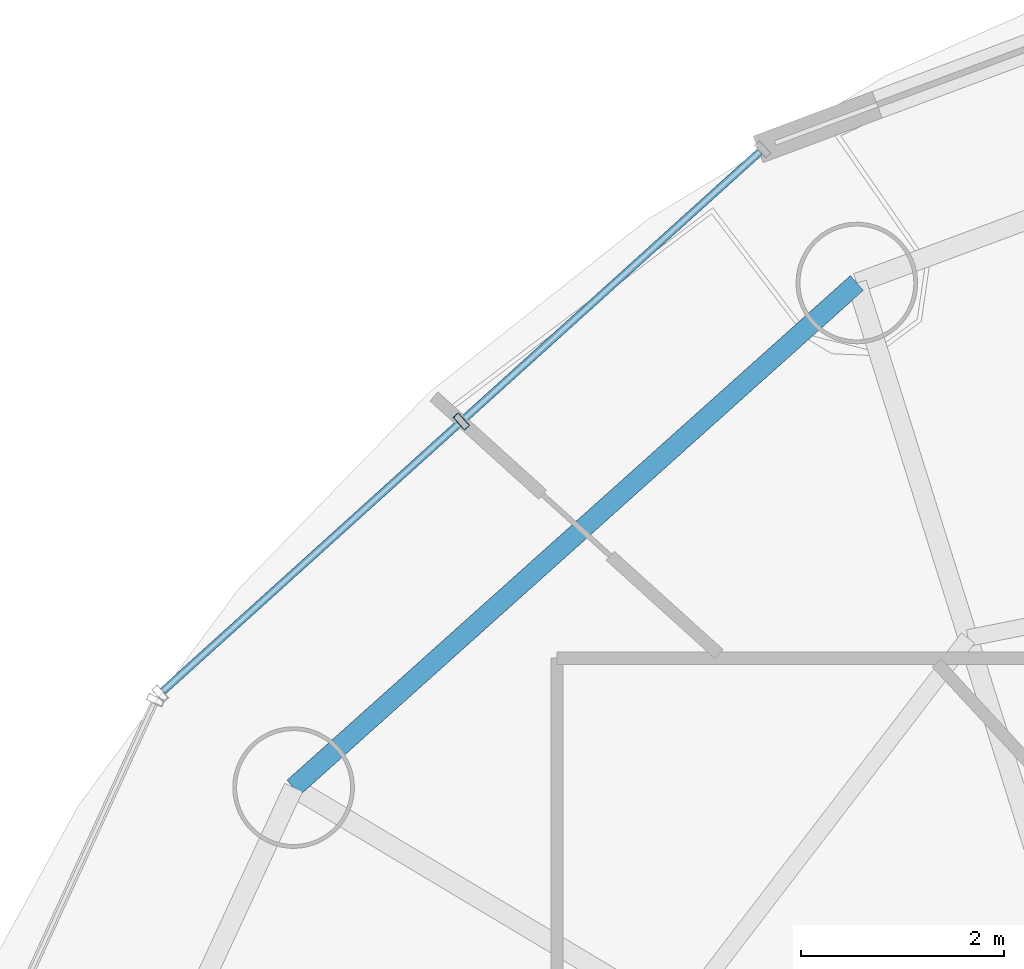
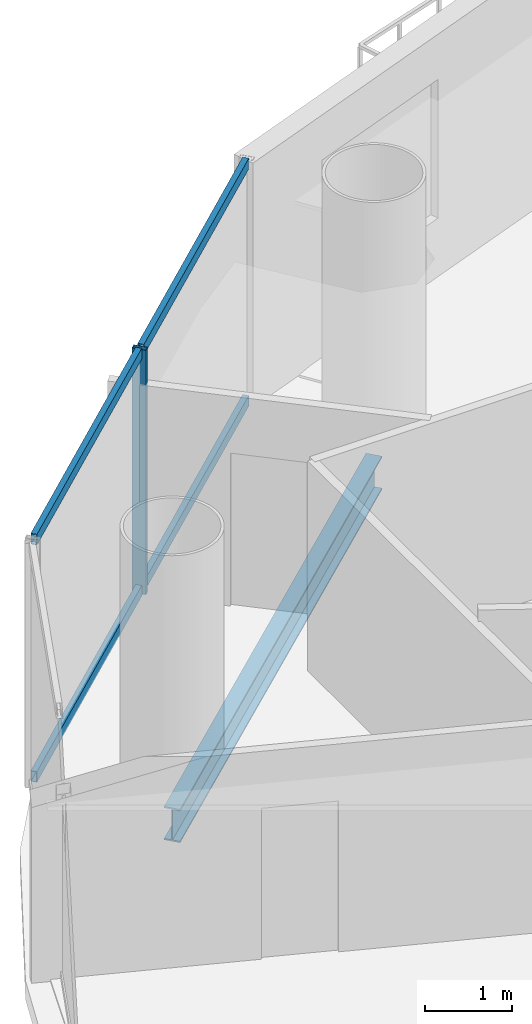
# One storey, part 14 of 26: 5 members, 1 beam, 1 element without a shape of its own.
"""IFC4 building model written with IfcOpenShell, lengths in metres."""

from ifc_helpers import new_model, si_unit, direction, frame, origin, origin_2d, place, context, subcontext, project, spatial, hollow_rectangle, i_section, extrude, source, transform, mapped, material, material_profile, profile_set, type_object, element, aggregate, save


model = new_model("IFC4")

# Units and contexts
model_context = context("Model", 3, precision=1e-05, world=origin(), true_north=direction((-0.2419218956, 0.970295726276)))
body_context = subcontext(model_context, "Body", "Model", "MODEL_VIEW")
ifc_project = project(units=[si_unit("LENGTHUNIT", "METRE"), si_unit("AREAUNIT", "SQUARE_METRE"), si_unit("VOLUMEUNIT", "CUBIC_METRE"), si_unit("PLANEANGLEUNIT", "RADIAN"), si_unit("MASSUNIT", "GRAM", prefix="KILO")], contexts=[model_context])

# Site, building, storey
site_placement = place(None, origin())
site = spatial("IfcSite", under=ifc_project, at=site_placement, CompositionType="ELEMENT")
building_placement = place(site_placement, origin())
building = spatial("IfcBuilding", under=site, at=building_placement, Name="Cobrevalo Terracotta Tower", CompositionType="ELEMENT")
storey_placement = place(building_placement, frame((0.0, 0.0, 235.60009765625)))
storey = spatial("IfcBuildingStorey", under=building, at=storey_placement, Name="L62", CompositionType="ELEMENT", Elevation=235.60009765625)

# Beam
ifc_material_1 = material(Name="Steel S355", Category="steel")
ifc_material_profile_1 = material_profile(ifc_material_1, i_section(OverallWidth=0.194091796875, OverallDepth=0.468994140625, WebThickness=0.011474609375, FlangeThickness=0.0205078125, at=origin_2d()), Name="W 460x106")
ifc_profile_set_1 = profile_set([ifc_material_profile_1], Name="Steel S355")
beam_type = type_object("IfcBeamType", Name="Structural Spandrel W 460x106 (Steel S355)", PredefinedType="SPANDREL", material=ifc_profile_set_1)
beam_placement = place(storey_placement, frame((26.80517578125, 41.80810546875, -0.49951171875), z_axis=(-0.744851930997, -0.667229796165, 0.0), x_axis=(0.667229796165, -0.744851930997, 0.0)))
element("IfcBeam", 1, at=beam_placement, inside=storey, type_object=beam_type, Name="L62 perimeter ring spandrel 06", PredefinedType="SPANDREL", context=body_context, shape_type="SweptSolid", body=[
    extrude(i_section(OverallWidth=0.194091796875, OverallDepth=0.468994140625, WebThickness=0.011474609375, FlangeThickness=0.0205078125, at=origin_2d()), origin(), (0.0, 0.0, 1.0), 7.463623046875),
])

# Curtain wall, members
ifc_material_2 = material(Name="Anodized aluminium", Category="aluminium")
curtain_wall_type = type_object("IfcCurtainWallType", Name="Mid-tower high-wind unitised curtain wall CW-U2", PredefinedType="NOTDEFINED", material=ifc_material_2)
curtain_wall_placement = place(storey_placement, origin())
curtain_wall = element("IfcCurtainWall", 2, at=curtain_wall_placement, inside=storey, type_object=curtain_wall_type, Name="L62 curtain wall CW-L62-S06", PredefinedType="NOTDEFINED")
ifc_material_profile_2 = material_profile(ifc_material_2, hollow_rectangle(XDim=0.074951171875, YDim=0.14990234375, WallThickness=0.00439453125, at=origin_2d()), Name="CWT 75x150")
ifc_profile_set_2 = profile_set([ifc_material_profile_2], Name="Anodized aluminium")
member_type_1 = type_object("IfcMemberType", Name="Tower unitised aluminium transom 75x150", PredefinedType="USERDEFINED", material=ifc_profile_set_2)
shared_shape_1 = source(origin(), body_context, "Body", "SweptSolid", [
    extrude(hollow_rectangle(XDim=0.074951171875, YDim=0.14990234375, WallThickness=0.00439453125, at=origin_2d()), origin(), (0.0, 0.0, 1.0), 3.927490234375),
])
member_1_placement = place(storey_placement, frame((22.872314453125, 40.414794921875, 0.0498046875), z_axis=(-0.741975952623, -0.670426495396, 0.0), x_axis=(0.670426495396, -0.741975952623, 0.0)))
member_1 = element("IfcMember", 3, at=member_1_placement, type_object=member_type_1, Name="CW-L62-S06 transom B02-T1", ObjectType="TRANSOM", PredefinedType="USERDEFINED", context=body_context, shape_type="MappedRepresentation", body=[
    mapped(shared_shape_1, transform((0.0, 0.0, 0.0), scale=1.0)),
])
member_2_placement = place(storey_placement, frame((22.872314453125, 40.414794921875, 3.385009765625), z_axis=(-0.741975952623, -0.670426495396, 0.0), x_axis=(0.670426495396, -0.741975952623, 0.0)))
member_2 = element("IfcMember", 4, at=member_2_placement, type_object=member_type_1, Name="CW-L62-S06 transom B02-T2", ObjectType="TRANSOM", PredefinedType="USERDEFINED", context=body_context, shape_type="MappedRepresentation", body=[
    mapped(shared_shape_1, transform((0.0, 0.0, 0.0), scale=1.0)),
])
shared_shape_2 = source(origin(), body_context, "Body", "SweptSolid", [
    extrude(hollow_rectangle(XDim=0.074951171875, YDim=0.14990234375, WallThickness=0.00439453125, at=origin_2d()), origin(), (0.0, 0.0, 1.0), 3.927734375),
])
member_3_placement = place(storey_placement, frame((25.845947265625, 43.101318359375, 0.0498046875), z_axis=(-0.742003891138, -0.670395573923, 0.0), x_axis=(0.670395573923, -0.742003891138, 0.0)))
member_3 = element("IfcMember", 5, at=member_3_placement, type_object=member_type_1, Name="CW-L62-S06 transom B01-T1", ObjectType="TRANSOM", PredefinedType="USERDEFINED", context=body_context, shape_type="MappedRepresentation", body=[
    mapped(shared_shape_2, transform((0.0, 0.0, 0.0), scale=1.0)),
])
member_4_placement = place(storey_placement, frame((25.845947265625, 43.101318359375, 3.385009765625), z_axis=(-0.742003891138, -0.670395573923, 0.0), x_axis=(0.670395573923, -0.742003891138, 0.0)))
member_4 = element("IfcMember", 6, at=member_4_placement, type_object=member_type_1, Name="CW-L62-S06 transom B01-T2", ObjectType="TRANSOM", PredefinedType="USERDEFINED", context=body_context, shape_type="MappedRepresentation", body=[
    mapped(shared_shape_2, transform((0.0, 0.0, 0.0), scale=1.0)),
])
ifc_material_profile_3 = material_profile(ifc_material_2, hollow_rectangle(XDim=0.070068359375, YDim=0.169921875, WallThickness=0.00439453125, at=origin_2d()), Name="CWM 70x170")
ifc_profile_set_3 = profile_set([ifc_material_profile_3], Name="Anodized aluminium")
member_type_2 = type_object("IfcMemberType", Name="Upper tower unitised mullion 70x170", PredefinedType="MULLION", material=ifc_profile_set_3)
shared_shape_3 = source(origin(), body_context, "Body", "SweptSolid", [
    extrude(hollow_rectangle(XDim=0.070068359375, YDim=0.169921875, WallThickness=0.00439453125, at=origin_2d()), origin(), (0.0, 0.0, 1.0), 3.434814453125),
])
member_5_placement = place(storey_placement, frame((22.902099609375, 40.441650390625, 0.0), z_axis=(0.0, 0.0, 1.0), x_axis=(-0.741987542015, -0.670413668935, 0.0)))
member_5 = element("IfcMember", 7, at=member_5_placement, type_object=member_type_2, Name="CW-L62-S06 vertical mullion 02", PredefinedType="MULLION", context=body_context, shape_type="MappedRepresentation", body=[
    mapped(shared_shape_3, transform((0.0, 0.0, 0.0), scale=1.0)),
])
aggregate(curtain_wall, [member_5, member_3, member_4, member_1, member_2])

save(model, "model.ifc")
